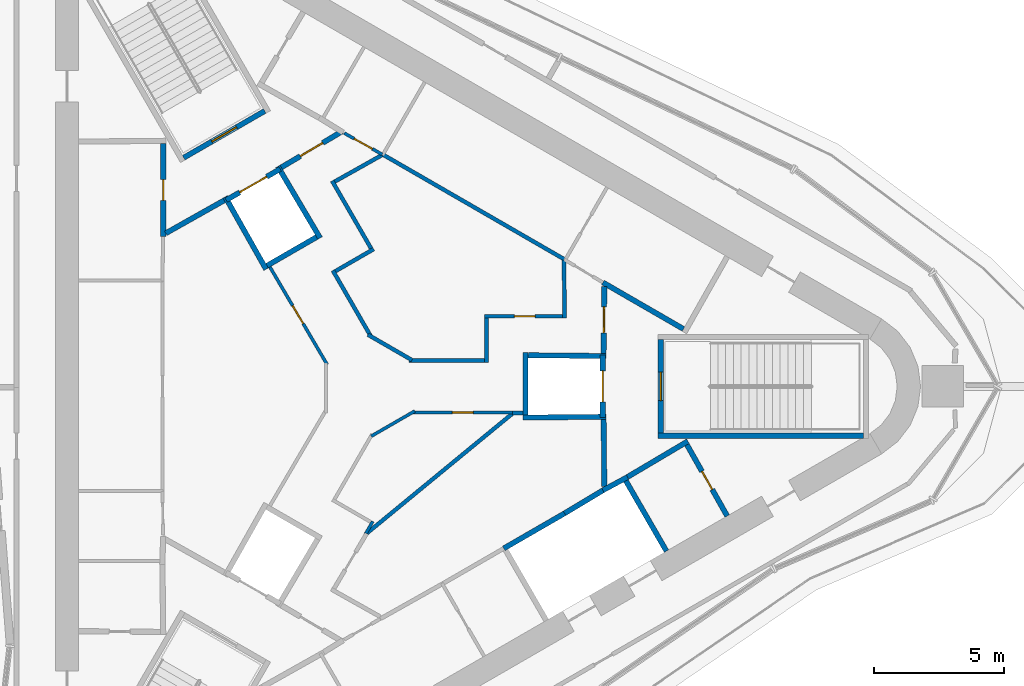
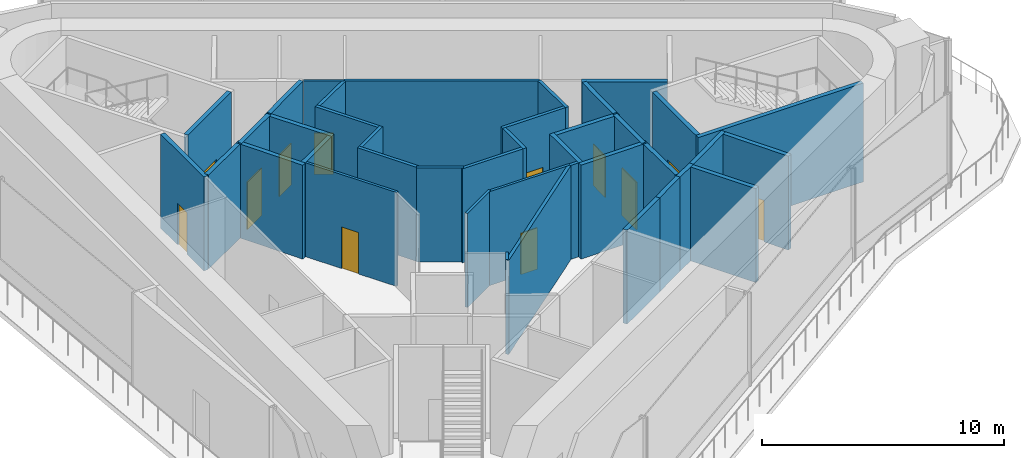
# One storey, part 5 of 9: 40 walls, 12 doors, 12 openings.
"""IFC4 building model written with IfcOpenShell, lengths in metres."""

from ifc_helpers import new_model, si_unit, direction, frame, frame_2d, origin, place, context, subcontext, project, spatial, rectangle, extrude, material, layer, layer_set, type_object, element, fill, save


model = new_model("IFC4")

# Units and contexts
model_context = context("Model", 3, precision=1e-05, world=origin(), true_north=direction((0.0, 1.0)))
body_context = subcontext(model_context, "Body", "Model", "MODEL_VIEW")
ifc_project = project(units=[si_unit("LENGTHUNIT", "METRE"), si_unit("AREAUNIT", "SQUARE_METRE"), si_unit("VOLUMEUNIT", "CUBIC_METRE"), si_unit("PLANEANGLEUNIT", "RADIAN"), si_unit("MASSUNIT", "GRAM", prefix="KILO")], contexts=[model_context])

# Site, building, storey
site_placement = place(None, origin())
site = spatial("IfcSite", under=ifc_project, at=site_placement, CompositionType="ELEMENT")
building_placement = place(site_placement, origin())
building = spatial("IfcBuilding", under=site, at=building_placement, Name="Tanit Gate Tower", CompositionType="ELEMENT")
storey_placement = place(building_placement, frame((0.0, 0.0, 430.300048828125)))
storey = spatial("IfcBuildingStorey", under=building, at=storey_placement, Name="L97", CompositionType="ELEMENT", Elevation=430.300048828125)

# Wall, opening, door
ifc_material_1 = material(Name="Fire-rated gypsum board partition")
ifc_layer_1 = layer(ifc_material_1, 0.199951171875)
ifc_layer_set_1 = layer_set([ifc_layer_1], Name="INT-WALL-COMPARTMENT")
wall_type_1 = type_object("IfcWallType", Name="INT-WALL-COMPARTMENT", PredefinedType="PARTITIONING", material=ifc_layer_set_1)
wall_1_placement = place(storey_placement, frame((-7.949951171875, 5.7724609375, 0.0), z_axis=(0.0, 0.0, 1.0), x_axis=(0.0, 1.0, 0.0)))
wall_1 = element("IfcWall", 1, at=wall_1_placement, inside=storey, type_object=wall_type_1, Name="Wall Compartment W035", PredefinedType="PARTITIONING", context=body_context, shape_type="SweptSolid", body=[
    extrude(rectangle(XDim=3.57763671875, YDim=0.199951171875, at=frame_2d((1.788818359375, 0.0))), origin(), (0.0, 0.0, 1.0), 4.75),
])
opening_1_placement = place(wall_1_placement, frame((1.388916015625, 0.0, 0.0)))
opening_1 = element("IfcOpeningElement", 2, at=opening_1_placement, cuts=wall_1, Name="Opening R08-97-14", PredefinedType="OPENING", context=body_context, shape_type="SweptSolid", body=[
    extrude(rectangle(XDim=0.800048828125, YDim=2.10009765625, at=frame_2d((0.39990234375, 1.050048828125))), frame((0.0, 0.10986328125, 0.0), z_axis=(0.0, -1.0, 0.0), x_axis=(1.0, 0.0, 0.0)), (0.0, 0.0, 1.0), 0.219970703125),
])
ifc_material_2 = material(Name="Timber door leaf", Category="wood")
door_type_1 = type_object("IfcDoorType", Name="INT-DOOR-RISER-800", OperationType="NOTDEFINED", PredefinedType="USERDEFINED", material=ifc_material_2)
door_1_placement = place(opening_1_placement, origin())
door_1 = element("IfcDoor", 3, at=door_1_placement, inside=storey, type_object=door_type_1, Name="Door R08-97-14", ObjectType="FIRE DOOR", OperationType="SINGLE_SWING_RIGHT", OverallHeight=2.10009765625, OverallWidth=0.800048828125, PredefinedType="USERDEFINED", context=body_context, shape_type="SweptSolid", body=[
    extrude(rectangle(XDim=0.800048828125, YDim=2.10009765625, at=frame_2d((0.39990234375, 1.050048828125))), frame((0.0, 0.02490234375, 0.0), z_axis=(0.0, -1.0, 0.0), x_axis=(1.0, 0.0, 0.0)), (0.0, 0.0, 1.0), 0.050048828125),
])
fill(opening_1, door_1)

# Walls
wall_2_placement = place(storey_placement, frame((8.97412109375, 3.998779296875, 0.0), z_axis=(0.0, 0.0, 1.0), x_axis=(0.86601284211, -0.500021756827, 0.0)))
element("IfcWall", 4, at=wall_2_placement, inside=storey, type_object=wall_type_1, Name="Wall Compartment W046", PredefinedType="PARTITIONING", context=body_context, shape_type="SweptSolid", body=[
    extrude(rectangle(XDim=3.577392578125, YDim=0.199951171875, at=frame_2d((1.78857421875, 0.0))), origin(), (0.0, 0.0, 1.0), 4.75),
])
wall_3_placement = place(storey_placement, frame((12.244873046875, -2.10888671875, 0.0), z_axis=(0.0, 0.0, 1.0), x_axis=(-0.860414880418, -0.509594185166, 0.0)))
element("IfcWall", 5, at=wall_3_placement, inside=storey, type_object=wall_type_1, Name="Wall Compartment W063", PredefinedType="PARTITIONING", context=body_context, shape_type="SweptSolid", body=[
    extrude(rectangle(XDim=2.7001953125, YDim=0.199951171875, at=frame_2d((1.35009765625, 0.0))), origin(), (0.0, 0.0, 1.0), 4.75),
])

# Wall, opening, door
wall_4_placement = place(storey_placement, frame((13.758056640625, -4.989501953125, 0.0), z_axis=(0.0, 0.0, 1.0), x_axis=(-0.491993409184, 0.87059892334, 0.0)))
wall_4 = element("IfcWall", 6, at=wall_4_placement, inside=storey, type_object=wall_type_1, Name="Wall Compartment W064", PredefinedType="PARTITIONING", context=body_context, shape_type="SweptSolid", body=[
    extrude(rectangle(XDim=3.150146484375, YDim=0.199951171875, at=frame_2d((1.5751953125, 0.0))), origin(), (0.0, 0.0, 1.0), 4.75),
])
opening_2_placement = place(wall_4_placement, frame((1.175048828125, 0.0, 0.0)))
opening_2 = element("IfcOpeningElement", 7, at=opening_2_placement, cuts=wall_4, Name="Opening R08-97-25", PredefinedType="OPENING", context=body_context, shape_type="SweptSolid", body=[
    extrude(rectangle(XDim=0.800048828125, YDim=2.10009765625, at=frame_2d((0.39990234375, 1.050048828125))), frame((0.0, 0.10986328125, 0.0), z_axis=(0.0, -1.0, 0.0), x_axis=(1.0, 0.0, 0.0)), (0.0, 0.0, 1.0), 0.219970703125),
])
door_2_placement = place(opening_2_placement, origin())
door_2 = element("IfcDoor", 8, at=door_2_placement, inside=storey, type_object=door_type_1, Name="Door R08-97-25", ObjectType="FIRE DOOR", OperationType="SINGLE_SWING_LEFT", OverallHeight=2.10009765625, OverallWidth=0.800048828125, PredefinedType="USERDEFINED", context=body_context, shape_type="SweptSolid", body=[
    extrude(rectangle(XDim=0.800048828125, YDim=2.10009765625, at=frame_2d((0.39990234375, 1.050048828125))), frame((0.0, 0.02490234375, 0.0), z_axis=(0.0, -1.0, 0.0), x_axis=(1.0, 0.0, 0.0)), (0.0, 0.0, 1.0), 0.050048828125),
])
fill(opening_2, door_2)

# Wall
wall_5_placement = place(storey_placement, frame((9.02880859375, -3.8505859375, 0.0), z_axis=(0.0, 0.0, 1.0), x_axis=(-0.010784614026, 0.999941844359, 0.0)))
element("IfcWall", 9, at=wall_5_placement, inside=storey, type_object=wall_type_1, Name="Wall Compartment W065", PredefinedType="PARTITIONING", context=body_context, shape_type="SweptSolid", body=[
    extrude(rectangle(XDim=2.580810546875, YDim=0.199951171875, at=frame_2d((1.29052734375, 0.0))), origin(), (0.0, 0.0, 1.0), 4.75),
])

# Wall, opening, door
wall_6_placement = place(storey_placement, frame((9.0009765625, 1.27001953125, 0.0), z_axis=(0.0, 0.0, 1.0), x_axis=(0.010780534828, 0.999941888346, 0.0)))
wall_6 = element("IfcWall", 10, at=wall_6_placement, inside=storey, type_object=wall_type_1, Name="Wall Compartment W066", PredefinedType="PARTITIONING", context=body_context, shape_type="SweptSolid", body=[
    extrude(rectangle(XDim=2.581787109375, YDim=0.199951171875, at=frame_2d((1.291015625, 0.0))), origin(), (0.0, 0.0, 1.0), 4.75),
])
opening_3_placement = place(wall_6_placement, frame((0.791015625, 0.0, 0.0)))
opening_3 = element("IfcOpeningElement", 11, at=opening_3_placement, cuts=wall_6, Name="Opening F10-97-02", PredefinedType="OPENING", context=body_context, shape_type="SweptSolid", body=[
    extrude(rectangle(XDim=1.0, YDim=2.10009765625, at=frame_2d((0.5, 1.050048828125))), frame((0.0, 0.10986328125, 0.0), z_axis=(0.0, -1.0, 0.0), x_axis=(1.0, 0.0, 0.0)), (0.0, 0.0, 1.0), 0.219970703125),
])
ifc_material_3 = material(Name="Fire-rated steel door leaf", Category="steel")
door_type_2 = type_object("IfcDoorType", Name="INT-DOOR-FIRE-1000", OperationType="NOTDEFINED", PredefinedType="USERDEFINED", material=ifc_material_3)
door_3_placement = place(opening_3_placement, origin())
door_3 = element("IfcDoor", 12, at=door_3_placement, inside=storey, type_object=door_type_2, Name="Door F10-97-02", ObjectType="FIRE DOOR", OperationType="SINGLE_SWING_LEFT", OverallHeight=2.10009765625, OverallWidth=1.0, PredefinedType="USERDEFINED", context=body_context, shape_type="SweptSolid", body=[
    extrude(rectangle(XDim=1.0, YDim=2.10009765625, at=frame_2d((0.5, 1.050048828125))), frame((0.0, 0.02490234375, 0.0), z_axis=(0.0, -1.0, 0.0), x_axis=(1.0, 0.0, 0.0)), (0.0, 0.0, 1.0), 0.050048828125),
])
fill(opening_3, door_3)

# Wall
wall_7_placement = place(storey_placement, frame((-5.600341796875, 7.16015625, 0.0), z_axis=(0.0, 0.0, 1.0), x_axis=(-0.871350695252, -0.490660744185, 0.0)))
element("IfcWall", 13, at=wall_7_placement, inside=storey, type_object=wall_type_1, Name="Wall Compartment W067", PredefinedType="PARTITIONING", context=body_context, shape_type="SweptSolid", body=[
    extrude(rectangle(XDim=2.58203125, YDim=0.199951171875, at=frame_2d((1.291015625, 0.0))), origin(), (0.0, 0.0, 1.0), 4.75),
])

# Wall, opening, door
wall_8_placement = place(storey_placement, frame((-1.070068359375, 9.809326171875, 0.0), z_axis=(0.0, 0.0, 1.0), x_axis=(-0.860603293832, -0.509275927808, 0.0)))
wall_8 = element("IfcWall", 14, at=wall_8_placement, inside=storey, type_object=wall_type_1, Name="Wall Compartment W068", PredefinedType="PARTITIONING", context=body_context, shape_type="SweptSolid", body=[
    extrude(rectangle(XDim=2.7080078125, YDim=0.199951171875, at=frame_2d((1.35400390625, 0.0))), origin(), (0.0, 0.0, 1.0), 4.75),
])
opening_4_placement = place(wall_8_placement, frame((0.859619140625, 0.0, 0.0)))
opening_4 = element("IfcOpeningElement", 15, at=opening_4_placement, cuts=wall_8, Name="Opening F10-97-05", PredefinedType="OPENING", context=body_context, shape_type="SweptSolid", body=[
    extrude(rectangle(XDim=1.0, YDim=2.10009765625, at=frame_2d((0.5, 1.050048828125))), frame((0.0, 0.10986328125, 0.0), z_axis=(0.0, -1.0, 0.0), x_axis=(1.0, 0.0, 0.0)), (0.0, 0.0, 1.0), 0.219970703125),
])
door_4_placement = place(opening_4_placement, origin())
door_4 = element("IfcDoor", 16, at=door_4_placement, inside=storey, type_object=door_type_2, Name="Door F10-97-05", ObjectType="FIRE DOOR", OperationType="SINGLE_SWING_RIGHT", OverallHeight=2.10009765625, OverallWidth=1.0, PredefinedType="USERDEFINED", context=body_context, shape_type="SweptSolid", body=[
    extrude(rectangle(XDim=1.0, YDim=2.10009765625, at=frame_2d((0.5, 1.050048828125))), frame((0.0, 0.02490234375, 0.0), z_axis=(0.0, -1.0, 0.0), x_axis=(1.0, 0.0, 0.0)), (0.0, 0.0, 1.0), 0.050048828125),
])
fill(opening_4, door_4)

ifc_material_4 = material(Name="Gypsum board partition")
ifc_layer_2 = layer(ifc_material_4, 0.1201171875)
ifc_layer_set_2 = layer_set([ifc_layer_2], Name="INT-WALL-PARTITION")
wall_type_2 = type_object("IfcWallType", Name="INT-WALL-PARTITION", PredefinedType="PARTITIONING", material=ifc_layer_set_2)
wall_9_placement = place(storey_placement, frame((-0.979248046875, 9.746826171875, 0.0), z_axis=(0.0, 0.0, 1.0), x_axis=(0.871957532922, -0.489581515972, 0.0)))
wall_9 = element("IfcWall", 17, at=wall_9_placement, inside=storey, type_object=wall_type_2, Name="Wall Partition W052", PredefinedType="PARTITIONING", context=body_context, shape_type="SweptSolid", body=[
    extrude(rectangle(XDim=1.671630859375, YDim=0.1201171875, at=frame_2d((0.8359375, 0.0))), origin(), (0.0, 0.0, 1.0), 4.75),
])
opening_5_placement = place(wall_9_placement, frame((0.435791015625, 0.0, 0.0)))
opening_5 = element("IfcOpeningElement", 18, at=opening_5_placement, cuts=wall_9, Name="Opening R08-97-20", PredefinedType="OPENING", context=body_context, shape_type="SweptSolid", body=[
    extrude(rectangle(XDim=0.800048828125, YDim=2.10009765625, at=frame_2d((0.39990234375, 1.050048828125))), frame((0.0, 0.070068359375, 0.0), z_axis=(0.0, -1.0, 0.0), x_axis=(1.0, 0.0, 0.0)), (0.0, 0.0, 1.0), 0.14013671875),
])
door_5_placement = place(opening_5_placement, origin())
door_5 = element("IfcDoor", 19, at=door_5_placement, inside=storey, type_object=door_type_1, Name="Door R08-97-20", ObjectType="FIRE DOOR", OperationType="SINGLE_SWING_RIGHT", OverallHeight=2.10009765625, OverallWidth=0.800048828125, PredefinedType="USERDEFINED", context=body_context, shape_type="SweptSolid", body=[
    extrude(rectangle(XDim=0.800048828125, YDim=2.10009765625, at=frame_2d((0.39990234375, 1.050048828125))), frame((0.0, 0.02490234375, 0.0), z_axis=(0.0, -1.0, 0.0), x_axis=(1.0, 0.0, 0.0)), (0.0, 0.0, 1.0), 0.050048828125),
])
fill(opening_5, door_5)

wall_10_placement = place(storey_placement, frame((-1.636962890625, 0.836669921875, 0.0), z_axis=(0.0, 0.0, 1.0), x_axis=(-0.505858978646, 0.862616191433, 0.0)))
wall_10 = element("IfcWall", 20, at=wall_10_placement, inside=storey, type_object=wall_type_2, Name="Wall Partition W071", PredefinedType="PARTITIONING", context=body_context, shape_type="SweptSolid", body=[
    extrude(rectangle(XDim=4.357177734375, YDim=0.1201171875, at=frame_2d((2.1787109375, 0.0))), origin(), (0.0, 0.0, 1.0), 4.75),
])
opening_6_placement = place(wall_10_placement, frame((1.82958984375, 0.0, 0.0)))
opening_6 = element("IfcOpeningElement", 21, at=opening_6_placement, cuts=wall_10, Name="Opening R08-97-10", PredefinedType="OPENING", context=body_context, shape_type="SweptSolid", body=[
    extrude(rectangle(XDim=0.800048828125, YDim=2.10009765625, at=frame_2d((0.39990234375, 1.050048828125))), frame((0.0, 0.070068359375, 0.0), z_axis=(0.0, -1.0, 0.0), x_axis=(1.0, 0.0, 0.0)), (0.0, 0.0, 1.0), 0.14013671875),
])
door_6_placement = place(opening_6_placement, origin())
door_6 = element("IfcDoor", 22, at=door_6_placement, inside=storey, type_object=door_type_1, Name="Door R08-97-10", ObjectType="FIRE DOOR", OperationType="SINGLE_SWING_LEFT", OverallHeight=2.10009765625, OverallWidth=0.800048828125, PredefinedType="USERDEFINED", context=body_context, shape_type="SweptSolid", body=[
    extrude(rectangle(XDim=0.800048828125, YDim=2.10009765625, at=frame_2d((0.39990234375, 1.050048828125))), frame((0.0, 0.02490234375, 0.0), z_axis=(0.0, -1.0, 0.0), x_axis=(1.0, 0.0, 0.0)), (0.0, 0.0, 1.0), 0.050048828125),
])
fill(opening_6, door_6)

# Walls
wall_11_placement = place(storey_placement, frame((-0.14404296875, -5.6494140625, 0.0), z_axis=(0.0, 0.0, 1.0), x_axis=(0.499843319224, 0.866115844577, 0.0)))
element("IfcWall", 23, at=wall_11_placement, inside=storey, type_object=wall_type_2, Name="Wall Partition W078", PredefinedType="PARTITIONING", context=body_context, shape_type="SweptSolid", body=[
    extrude(rectangle(XDim=0.524658203125, YDim=0.1201171875, at=frame_2d((0.26220703125, 0.0))), origin(), (0.0, 0.0, 1.0), 4.75),
])
wall_12_placement = place(storey_placement, frame((1.7353515625, -0.947998046875, 0.0), z_axis=(0.0, 0.0, 1.0), x_axis=(-0.865998615205, -0.500046396311, 0.0)))
element("IfcWall", 24, at=wall_12_placement, inside=storey, type_object=wall_type_2, Name="Wall Partition W081", PredefinedType="PARTITIONING", context=body_context, shape_type="SweptSolid", body=[
    extrude(rectangle(XDim=1.935302734375, YDim=0.1201171875, at=frame_2d((0.9677734375, 0.0))), origin(), (0.0, 0.0, 1.0), 4.75),
])

# Wall, opening, door
wall_13_placement = place(storey_placement, frame((5.5, -1.0, 0.0), z_axis=(0.0, 0.0, 1.0), x_axis=(-1.0, 0.0, 0.0)))
wall_13 = element("IfcWall", 25, at=wall_13_placement, inside=storey, type_object=wall_type_2, Name="Wall Partition W082", PredefinedType="PARTITIONING", context=body_context, shape_type="SweptSolid", body=[
    extrude(rectangle(XDim=3.8359375, YDim=0.1201171875, at=frame_2d((1.91796875, 0.0))), origin(), (0.0, 0.0, 1.0), 4.75),
])
opening_7_placement = place(wall_13_placement, frame((1.51806640625, 0.0, 0.0)))
opening_7 = element("IfcOpeningElement", 26, at=opening_7_placement, cuts=wall_13, Name="Opening R08-97-12", PredefinedType="OPENING", context=body_context, shape_type="SweptSolid", body=[
    extrude(rectangle(XDim=0.800048828125, YDim=2.10009765625, at=frame_2d((0.39990234375, 1.050048828125))), frame((0.0, 0.070068359375, 0.0), z_axis=(0.0, -1.0, 0.0), x_axis=(1.0, 0.0, 0.0)), (0.0, 0.0, 1.0), 0.14013671875),
])
door_7_placement = place(opening_7_placement, origin())
door_7 = element("IfcDoor", 27, at=door_7_placement, inside=storey, type_object=door_type_1, Name="Door R08-97-12", ObjectType="FIRE DOOR", OperationType="SINGLE_SWING_RIGHT", OverallHeight=2.10009765625, OverallWidth=0.800048828125, PredefinedType="USERDEFINED", context=body_context, shape_type="SweptSolid", body=[
    extrude(rectangle(XDim=0.800048828125, YDim=2.10009765625, at=frame_2d((0.39990234375, 1.050048828125))), frame((0.0, 0.02490234375, 0.0), z_axis=(0.0, -1.0, 0.0), x_axis=(1.0, 0.0, 0.0)), (0.0, 0.0, 1.0), 0.050048828125),
])
fill(opening_7, door_7)

# Walls
ifc_material_5 = material(Name="Fire-rated gypsum board partition")
ifc_layer_3 = layer(ifc_material_5, 0.14990234375)
ifc_layer_set_3 = layer_set([ifc_layer_3], Name="INT-WALL-RISER")
wall_type_3 = type_object("IfcWallType", Name="INT-WALL-RISER", PredefinedType="PLUMBINGWALL", material=ifc_layer_set_3)
wall_14_placement = place(storey_placement, frame((7.497314453125, 4.885986328125, 0.0), z_axis=(0.0, 0.0, 1.0), x_axis=(-0.866030989016, 0.499990325971, 0.0)))
element("IfcWall", 28, at=wall_14_placement, inside=storey, type_object=wall_type_3, Name="Wall Riser W049", PredefinedType="PLUMBINGWALL", context=body_context, shape_type="SweptSolid", body=[
    extrude(rectangle(XDim=8.099853515625, YDim=0.14990234375, at=frame_2d((4.0498046875, 0.0))), origin(), (0.0, 0.0, 1.0), 4.75),
])
wall_15_placement = place(storey_placement, frame((5.5478515625, -1.0, 0.0), z_axis=(0.0, 0.0, 1.0), x_axis=(-0.772345431507, -0.635202750648, 0.0)))
element("IfcWall", 29, at=wall_15_placement, inside=storey, type_object=wall_type_3, Name="Wall Riser W074", PredefinedType="PLUMBINGWALL", context=body_context, shape_type="SweptSolid", body=[
    extrude(rectangle(XDim=7.41455078125, YDim=0.14990234375, at=frame_2d((3.707275390625, 0.0))), origin(), (0.0, 0.0, 1.0), 4.75),
])
wall_16_placement = place(storey_placement, frame((5.89990234375, -1.029541015625, 0.0), z_axis=(0.0, 0.0, 1.0), x_axis=(-1.0, 0.0, 0.0)))
element("IfcWall", 30, at=wall_16_placement, inside=storey, type_object=wall_type_3, Name="Wall Riser W077", PredefinedType="PLUMBINGWALL", context=body_context, shape_type="SweptSolid", body=[
    extrude(rectangle(XDim=0.39990234375, YDim=0.14990234375, at=frame_2d((0.199951171875, 0.0))), origin(), (0.0, 0.0, 1.0), 4.75),
])
wall_17_placement = place(storey_placement, frame((7.5009765625, 2.625, 0.0), z_axis=(0.0, 0.0, 1.0), x_axis=(-0.01177286769, 0.999930697392, 0.0)))
element("IfcWall", 31, at=wall_17_placement, inside=storey, type_object=wall_type_3, Name="Wall Riser W083", PredefinedType="PLUMBINGWALL", context=body_context, shape_type="SweptSolid", body=[
    extrude(rectangle(XDim=2.23974609375, YDim=0.14990234375, at=frame_2d((1.119873046875, 0.0))), origin(), (0.0, 0.0, 1.0), 4.75),
])

# Wall, opening, door
wall_18_placement = place(storey_placement, frame((4.425048828125, 2.699951171875, 0.0), z_axis=(0.0, 0.0, 1.0), x_axis=(1.0, 0.0, 0.0)))
wall_18 = element("IfcWall", 32, at=wall_18_placement, inside=storey, type_object=wall_type_3, Name="Wall Riser W084", PredefinedType="PLUMBINGWALL", context=body_context, shape_type="SweptSolid", body=[
    extrude(rectangle(XDim=3.0, YDim=0.14990234375, at=frame_2d((1.5, 0.0))), origin(), (0.0, 0.0, 1.0), 4.75),
])
opening_8_placement = place(wall_18_placement, frame((1.137451171875, 0.0, 0.0)))
opening_8 = element("IfcOpeningElement", 33, at=opening_8_placement, cuts=wall_18, Name="Opening R08-97-13", PredefinedType="OPENING", context=body_context, shape_type="SweptSolid", body=[
    extrude(rectangle(XDim=0.800048828125, YDim=2.10009765625, at=frame_2d((0.39990234375, 1.050048828125))), frame((0.0, 0.0849609375, 0.0), z_axis=(0.0, -1.0, 0.0), x_axis=(1.0, 0.0, 0.0)), (0.0, 0.0, 1.0), 0.169921875),
])
door_8_placement = place(opening_8_placement, origin())
door_8 = element("IfcDoor", 34, at=door_8_placement, inside=storey, type_object=door_type_1, Name="Door R08-97-13", ObjectType="FIRE DOOR", OperationType="SINGLE_SWING_RIGHT", OverallHeight=2.10009765625, OverallWidth=0.800048828125, PredefinedType="USERDEFINED", context=body_context, shape_type="SweptSolid", body=[
    extrude(rectangle(XDim=0.800048828125, YDim=2.10009765625, at=frame_2d((0.39990234375, 1.050048828125))), frame((0.0, 0.02490234375, 0.0), z_axis=(0.0, -1.0, 0.0), x_axis=(1.0, 0.0, 0.0)), (0.0, 0.0, 1.0), 0.050048828125),
])
fill(opening_8, door_8)

# Walls
wall_19_placement = place(storey_placement, frame((4.5, 0.925048828125, 0.0), z_axis=(0.0, 0.0, 1.0), x_axis=(0.0, 1.0, 0.0)))
element("IfcWall", 35, at=wall_19_placement, inside=storey, type_object=wall_type_3, Name="Wall Riser W085", PredefinedType="PLUMBINGWALL", context=body_context, shape_type="SweptSolid", body=[
    extrude(rectangle(XDim=1.699951171875, YDim=0.14990234375, at=frame_2d((0.85009765625, 0.0))), origin(), (0.0, 0.0, 1.0), 4.75),
])
wall_20_placement = place(storey_placement, frame((1.515625, 1.0, 0.0), z_axis=(0.0, 0.0, 1.0), x_axis=(1.0, 0.0, 0.0)))
element("IfcWall", 36, at=wall_20_placement, inside=storey, type_object=wall_type_3, Name="Wall Riser W086", PredefinedType="PLUMBINGWALL", context=body_context, shape_type="SweptSolid", body=[
    extrude(rectangle(XDim=2.909423828125, YDim=0.14990234375, at=frame_2d((1.45458984375, 0.0))), origin(), (0.0, 0.0, 1.0), 4.75),
])
wall_21_placement = place(storey_placement, frame((-0.069091796875, 1.989990234375, 0.0), z_axis=(0.0, 0.0, 1.0), x_axis=(0.866015184065, -0.500017700655, 0.0)))
element("IfcWall", 37, at=wall_21_placement, inside=storey, type_object=wall_type_3, Name="Wall Riser W087", PredefinedType="PLUMBINGWALL", context=body_context, shape_type="SweptSolid", body=[
    extrude(rectangle(XDim=1.95654296875, YDim=0.14990234375, at=frame_2d((0.978271484375, 0.0))), origin(), (0.0, 0.0, 1.0), 4.75),
])
wall_22_placement = place(storey_placement, frame((-1.42138671875, 4.462158203125, 0.0), z_axis=(0.0, 0.0, 1.0), x_axis=(0.499969679245, -0.866042908773, 0.0)))
element("IfcWall", 38, at=wall_22_placement, inside=storey, type_object=wall_type_3, Name="Wall Riser W088", PredefinedType="PLUMBINGWALL", context=body_context, shape_type="SweptSolid", body=[
    extrude(rectangle(XDim=2.906494140625, YDim=0.14990234375, at=frame_2d((1.453125, 0.0))), origin(), (0.0, 0.0, 1.0), 4.75),
])
wall_23_placement = place(storey_placement, frame((0.1533203125, 5.28466796875, 0.0), z_axis=(0.0, 0.0, 1.0), x_axis=(-0.866025371046, -0.500000056704, 0.0)))
element("IfcWall", 39, at=wall_23_placement, inside=storey, type_object=wall_type_3, Name="Wall Riser W089", PredefinedType="PLUMBINGWALL", context=body_context, shape_type="SweptSolid", body=[
    extrude(rectangle(XDim=1.7001953125, YDim=0.14990234375, at=frame_2d((0.85009765625, 0.0))), origin(), (0.0, 0.0, 1.0), 4.75),
])
wall_24_placement = place(storey_placement, frame((-1.44921875, 7.91015625, 0.0), z_axis=(0.0, 0.0, 1.0), x_axis=(0.499990139034, -0.866031096941, 0.0)))
element("IfcWall", 40, at=wall_24_placement, inside=storey, type_object=wall_type_3, Name="Wall Riser W090", PredefinedType="PLUMBINGWALL", context=body_context, shape_type="SweptSolid", body=[
    extrude(rectangle(XDim=3.0, YDim=0.14990234375, at=frame_2d((1.5, 0.0))), origin(), (0.0, 0.0, 1.0), 4.75),
])
wall_25_placement = place(storey_placement, frame((0.475341796875, 8.9052734375, 0.0), z_axis=(0.0, 0.0, 1.0), x_axis=(-0.871843752163, -0.489784107353, 0.0)))
element("IfcWall", 41, at=wall_25_placement, inside=storey, type_object=wall_type_3, Name="Wall Riser W091", PredefinedType="PLUMBINGWALL", context=body_context, shape_type="SweptSolid", body=[
    extrude(rectangle(XDim=2.089599609375, YDim=0.14990234375, at=frame_2d((1.044921875, 0.0))), origin(), (0.0, 0.0, 1.0), 4.75),
])
ifc_material_6 = material(Name="Gypsum shaft wall system")
ifc_layer_4 = layer(ifc_material_6, 0.199951171875)
ifc_layer_set_4 = layer_set([ifc_layer_4], Name="INT-WALL-SHAFT")
wall_type_4 = type_object("IfcWallType", Name="INT-WALL-SHAFT", PredefinedType="PLUMBINGWALL", material=ifc_layer_set_4)
wall_26_placement = place(storey_placement, frame((5.1591796875, -6.23583984375, 0.0), z_axis=(0.0, 0.0, 1.0), x_axis=(0.866036505625, 0.499980770555, 0.0)))
element("IfcWall", 42, at=wall_26_placement, inside=storey, type_object=wall_type_4, Name="Wall Shaft W002", PredefinedType="PLUMBINGWALL", context=body_context, shape_type="SweptSolid", body=[
    extrude(rectangle(XDim=2.69970703125, YDim=0.199951171875, at=frame_2d((1.349853515625, 0.0))), origin(), (0.0, 0.0, 1.0), 4.75),
])
wall_27_placement = place(storey_placement, frame((9.794677734375, -3.52490234375, 0.0), z_axis=(0.0, 0.0, 1.0), x_axis=(0.499984717929, -0.866034226713, 0.0)))
element("IfcWall", 43, at=wall_27_placement, inside=storey, type_object=wall_type_4, Name="Wall Shaft W003", PredefinedType="PLUMBINGWALL", context=body_context, shape_type="SweptSolid", body=[
    extrude(rectangle(XDim=3.25, YDim=0.199951171875, at=frame_2d((1.625, 0.0))), origin(), (0.0, 0.0, 1.0), 4.75),
])
wall_28_placement = place(storey_placement, frame((8.97412109375, -3.998779296875, 0.0), z_axis=(0.0, 0.0, 1.0), x_axis=(0.880907015104, 0.473289373154, 0.0)))
element("IfcWall", 44, at=wall_28_placement, inside=storey, type_object=wall_type_4, Name="Wall Shaft W004", PredefinedType="PLUMBINGWALL", context=body_context, shape_type="SweptSolid", body=[
    extrude(rectangle(XDim=1.078125, YDim=0.199951171875, at=frame_2d((0.5390625, 0.0))), origin(), (0.0, 0.0, 1.0), 4.75),
])
wall_29_placement = place(storey_placement, frame((7.497314453125, -4.885986328125, 0.0), z_axis=(0.0, 0.0, 1.0), x_axis=(0.857516281273, 0.51445682749, 0.0)))
element("IfcWall", 45, at=wall_29_placement, inside=storey, type_object=wall_type_4, Name="Wall Shaft W005", PredefinedType="PLUMBINGWALL", context=body_context, shape_type="SweptSolid", body=[
    extrude(rectangle(XDim=1.8447265625, YDim=0.199951171875, at=frame_2d((0.92236328125, 0.0))), origin(), (0.0, 0.0, 1.0), 4.75),
])

# Wall, opening, door
wall_30_placement = place(storey_placement, frame((8.969970703125, 1.199951171875, 0.0), z_axis=(0.0, 0.0, 1.0), x_axis=(0.0, -1.0, 0.0)))
wall_30 = element("IfcWall", 46, at=wall_30_placement, inside=storey, type_object=wall_type_4, Name="Wall Shaft W010", PredefinedType="PLUMBINGWALL", context=body_context, shape_type="SweptSolid", body=[
    extrude(rectangle(XDim=2.39990234375, YDim=0.199951171875, at=frame_2d((1.199951171875, 0.0))), origin(), (0.0, 0.0, 1.0), 4.75),
])
opening_9_placement = place(wall_30_placement, frame((0.60009765625, 0.0, 0.0)))
opening_9 = element("IfcOpeningElement", 47, at=opening_9_placement, cuts=wall_30, Name="Opening LDFL1-L97", PredefinedType="OPENING", context=body_context, shape_type="SweptSolid", body=[
    extrude(rectangle(XDim=1.199951171875, YDim=2.39990234375, at=frame_2d((0.60009765625, 1.199951171875))), frame((0.0, 0.10986328125, 0.0), z_axis=(0.0, -1.0, 0.0), x_axis=(1.0, 0.0, 0.0)), (0.0, 0.0, 1.0), 0.219970703125),
])
ifc_material_7 = material(Name="Stainless steel sliding door leaf", Category="steel")
door_type_3 = type_object("IfcDoorType", Name="INT-DOOR-LANDING-1200", OperationType="NOTDEFINED", PredefinedType="USERDEFINED", material=ifc_material_7)
door_9_placement = place(opening_9_placement, origin())
door_9 = element("IfcDoor", 48, at=door_9_placement, inside=storey, type_object=door_type_3, Name="Door LDFL1-L97", ObjectType="LANDING DOOR", OperationType="SLIDING_TO_LEFT", OverallHeight=2.39990234375, OverallWidth=1.199951171875, PredefinedType="USERDEFINED", context=body_context, shape_type="SweptSolid", body=[
    extrude(rectangle(XDim=1.199951171875, YDim=2.39990234375, at=frame_2d((0.60009765625, 1.199951171875))), frame((0.0, 0.02490234375, 0.0), z_axis=(0.0, -1.0, 0.0), x_axis=(1.0, 0.0, 0.0)), (0.0, 0.0, 1.0), 0.050048828125),
])
fill(opening_9, door_9)

# Walls
wall_31_placement = place(storey_placement, frame((9.10009765625, -1.1689453125, 0.0), z_axis=(0.0, 0.0, 1.0), x_axis=(-0.999950064753, -0.009993397809, 0.0)))
element("IfcWall", 49, at=wall_31_placement, inside=storey, type_object=wall_type_4, Name="Wall Shaft W011", PredefinedType="PLUMBINGWALL", context=body_context, shape_type="SweptSolid", body=[
    extrude(rectangle(XDim=3.200439453125, YDim=0.199951171875, at=frame_2d((1.60009765625, 0.0))), origin(), (0.0, 0.0, 1.0), 4.75),
])
wall_32_placement = place(storey_placement, frame((6.0, -1.10009765625, 0.0), z_axis=(0.0, 0.0, 1.0), x_axis=(0.0, 1.0, 0.0)))
element("IfcWall", 50, at=wall_32_placement, inside=storey, type_object=wall_type_4, Name="Wall Shaft W012", PredefinedType="PLUMBINGWALL", context=body_context, shape_type="SweptSolid", body=[
    extrude(rectangle(XDim=2.400146484375, YDim=0.199951171875, at=frame_2d((1.2001953125, 0.0))), origin(), (0.0, 0.0, 1.0), 4.75),
])
wall_33_placement = place(storey_placement, frame((9.10009765625, 1.1689453125, 0.0), z_axis=(0.0, 0.0, 1.0), x_axis=(-0.99994990606, 0.010009264196, 0.0)))
element("IfcWall", 51, at=wall_33_placement, inside=storey, type_object=wall_type_4, Name="Wall Shaft W014", PredefinedType="PLUMBINGWALL", context=body_context, shape_type="SweptSolid", body=[
    extrude(rectangle(XDim=3.000244140625, YDim=0.199951171875, at=frame_2d((1.5, 0.0))), origin(), (0.0, 0.0, 1.0), 4.75),
])

# Wall, opening, door
wall_34_placement = place(storey_placement, frame((-5.524169921875, 7.168212890625, 0.0), z_axis=(0.0, 0.0, 1.0), x_axis=(0.866024647952, 0.500001309137, 0.0)))
wall_34 = element("IfcWall", 52, at=wall_34_placement, inside=storey, type_object=wall_type_4, Name="Wall Shaft W019", PredefinedType="PLUMBINGWALL", context=body_context, shape_type="SweptSolid", body=[
    extrude(rectangle(XDim=2.39990234375, YDim=0.199951171875, at=frame_2d((1.199951171875, 0.0))), origin(), (0.0, 0.0, 1.0), 4.75),
])
opening_10_placement = place(wall_34_placement, frame((0.60009765625, 0.0, 0.0)))
opening_10 = element("IfcOpeningElement", 53, at=opening_10_placement, cuts=wall_34, Name="Opening LDFL2-L97", PredefinedType="OPENING", context=body_context, shape_type="SweptSolid", body=[
    extrude(rectangle(XDim=1.199951171875, YDim=2.39990234375, at=frame_2d((0.60009765625, 1.199951171875))), frame((0.0, 0.10986328125, 0.0), z_axis=(0.0, -1.0, 0.0), x_axis=(1.0, 0.0, 0.0)), (0.0, 0.0, 1.0), 0.219970703125),
])
door_10_placement = place(opening_10_placement, origin())
door_10 = element("IfcDoor", 54, at=door_10_placement, inside=storey, type_object=door_type_3, Name="Door LDFL2-L97", ObjectType="LANDING DOOR", OperationType="SLIDING_TO_LEFT", OverallHeight=2.39990234375, OverallWidth=1.199951171875, PredefinedType="USERDEFINED", context=body_context, shape_type="SweptSolid", body=[
    extrude(rectangle(XDim=1.199951171875, YDim=2.39990234375, at=frame_2d((0.60009765625, 1.199951171875))), frame((0.0, 0.02490234375, 0.0), z_axis=(0.0, -1.0, 0.0), x_axis=(1.0, 0.0, 0.0)), (0.0, 0.0, 1.0), 0.050048828125),
])
fill(opening_10, door_10)

# Walls
wall_35_placement = place(storey_placement, frame((-2.04736328125, 5.74609375, 0.0), z_axis=(0.0, 0.0, 1.0), x_axis=(-0.86605622881, -0.499946605688, 0.0)))
element("IfcWall", 55, at=wall_35_placement, inside=storey, type_object=wall_type_4, Name="Wall Shaft W023", PredefinedType="PLUMBINGWALL", context=body_context, shape_type="SweptSolid", body=[
    extrude(rectangle(XDim=2.199951171875, YDim=0.199951171875, at=frame_2d((1.10009765625, 0.0))), origin(), (0.0, 0.0, 1.0), 4.75),
])
wall_36_placement = place(storey_placement, frame((-3.989990234375, 4.509033203125, 0.0), z_axis=(0.0, 0.0, 1.0), x_axis=(-0.491358283181, 0.870957540612, 0.0)))
element("IfcWall", 56, at=wall_36_placement, inside=storey, type_object=wall_type_4, Name="Wall Shaft W021", PredefinedType="PLUMBINGWALL", context=body_context, shape_type="SweptSolid", body=[
    extrude(rectangle(XDim=3.200439453125, YDim=0.199951171875, at=frame_2d((1.60009765625, 0.0))), origin(), (0.0, 0.0, 1.0), 4.75),
])
wall_37_placement = place(storey_placement, frame((-3.53759765625, 8.46533203125, 0.0), z_axis=(0.0, 0.0, 1.0), x_axis=(0.508616218331, -0.860993346345, 0.0)))
element("IfcWall", 57, at=wall_37_placement, inside=storey, type_object=wall_type_4, Name="Wall Shaft W022", PredefinedType="PLUMBINGWALL", context=body_context, shape_type="SweptSolid", body=[
    extrude(rectangle(XDim=3.2001953125, YDim=0.199951171875, at=frame_2d((1.60009765625, 0.0))), origin(), (0.0, 0.0, 1.0), 4.75),
])
ifc_material_8 = material(Name="Concrete C40/50", Category="concrete")
ifc_layer_5 = layer(ifc_material_8, 0.199951171875)
ifc_layer_set_5 = layer_set([ifc_layer_5], Name="INT-WALL-STAIR")
wall_type_5 = type_object("IfcWallType", Name="INT-WALL-STAIR", PredefinedType="SHEAR", material=ifc_layer_set_5)
wall_38_placement = place(storey_placement, frame((11.10009765625, -1.89990234375, -0.25), z_axis=(0.0, 0.0, 1.0), x_axis=(1.0, 0.0, 0.0)))
element("IfcWall", 58, at=wall_38_placement, inside=storey, type_object=wall_type_5, Name="Wall Stair W008", PredefinedType="SHEAR", context=body_context, shape_type="SweptSolid", body=[
    extrude(rectangle(XDim=7.89990234375, YDim=0.199951171875, at=frame_2d((3.949951171875, 0.0))), origin(), (0.0, 0.0, 1.0), 5.0),
])

# Wall, opening, door
wall_39_placement = place(storey_placement, frame((11.199951171875, -1.800048828125, -0.25), z_axis=(0.0, 0.0, 1.0), x_axis=(0.0, 1.0, 0.0)))
wall_39 = element("IfcWall", 59, at=wall_39_placement, inside=storey, type_object=wall_type_5, Name="Wall Stair W009", PredefinedType="SHEAR", context=body_context, shape_type="SweptSolid", body=[
    extrude(rectangle(XDim=3.60009765625, YDim=0.199951171875, at=frame_2d((1.800048828125, 0.0))), origin(), (0.0, 0.0, 1.0), 5.0),
])
opening_11_placement = place(wall_39_placement, frame((1.25, 0.0, 0.25)))
opening_11 = element("IfcOpeningElement", 60, at=opening_11_placement, cuts=wall_39, Name="Opening S11-97-01", PredefinedType="OPENING", context=body_context, shape_type="SweptSolid", body=[
    extrude(rectangle(XDim=1.10009765625, YDim=2.10009765625, at=frame_2d((0.550048828125, 1.050048828125))), frame((0.0, 0.10986328125, 0.0), z_axis=(0.0, -1.0, 0.0), x_axis=(1.0, 0.0, 0.0)), (0.0, 0.0, 1.0), 0.219970703125),
])
ifc_material_9 = material(Name="Timber door leaf", Category="wood")
door_type_4 = type_object("IfcDoorType", Name="INT-DOOR-STAIR-1100", OperationType="NOTDEFINED", PredefinedType="USERDEFINED", material=ifc_material_9)
door_11_placement = place(opening_11_placement, origin())
door_11 = element("IfcDoor", 61, at=door_11_placement, inside=storey, type_object=door_type_4, Name="Door S11-97-01", ObjectType="FIRE DOOR", OperationType="SINGLE_SWING_LEFT", OverallHeight=2.10009765625, OverallWidth=1.10009765625, PredefinedType="USERDEFINED", context=body_context, shape_type="SweptSolid", body=[
    extrude(rectangle(XDim=1.10009765625, YDim=2.10009765625, at=frame_2d((0.550048828125, 1.050048828125))), frame((0.0, 0.02490234375, 0.0), z_axis=(0.0, -1.0, 0.0), x_axis=(1.0, 0.0, 0.0)), (0.0, 0.0, 1.0), 0.050048828125),
])
fill(opening_11, door_11)

wall_40_placement = place(storey_placement, frame((-7.158935546875, 8.799560546875, -0.25), z_axis=(0.0, 0.0, 1.0), x_axis=(0.866047807691, 0.499961193289, 0.0)))
wall_40 = element("IfcWall", 62, at=wall_40_placement, inside=storey, type_object=wall_type_5, Name="Wall Stair W018", PredefinedType="SHEAR", context=body_context, shape_type="SweptSolid", body=[
    extrude(rectangle(XDim=3.599853515625, YDim=0.199951171875, at=frame_2d((1.7998046875, 0.0))), origin(), (0.0, 0.0, 1.0), 5.0),
])
opening_12_placement = place(wall_40_placement, frame((1.25, 0.0, 0.25)))
opening_12 = element("IfcOpeningElement", 63, at=opening_12_placement, cuts=wall_40, Name="Opening S11-97-04", PredefinedType="OPENING", context=body_context, shape_type="SweptSolid", body=[
    extrude(rectangle(XDim=1.10009765625, YDim=2.10009765625, at=frame_2d((0.550048828125, 1.050048828125))), frame((0.0, 0.10986328125, 0.0), z_axis=(0.0, -1.0, 0.0), x_axis=(1.0, 0.0, 0.0)), (0.0, 0.0, 1.0), 0.219970703125),
])
door_12_placement = place(opening_12_placement, origin())
door_12 = element("IfcDoor", 64, at=door_12_placement, inside=storey, type_object=door_type_4, Name="Door S11-97-04", ObjectType="FIRE DOOR", OperationType="SINGLE_SWING_RIGHT", OverallHeight=2.10009765625, OverallWidth=1.10009765625, PredefinedType="USERDEFINED", context=body_context, shape_type="SweptSolid", body=[
    extrude(rectangle(XDim=1.10009765625, YDim=2.10009765625, at=frame_2d((0.550048828125, 1.050048828125))), frame((0.0, 0.02490234375, 0.0), z_axis=(0.0, -1.0, 0.0), x_axis=(1.0, 0.0, 0.0)), (0.0, 0.0, 1.0), 0.050048828125),
])
fill(opening_12, door_12)

save(model, "model.ifc")
